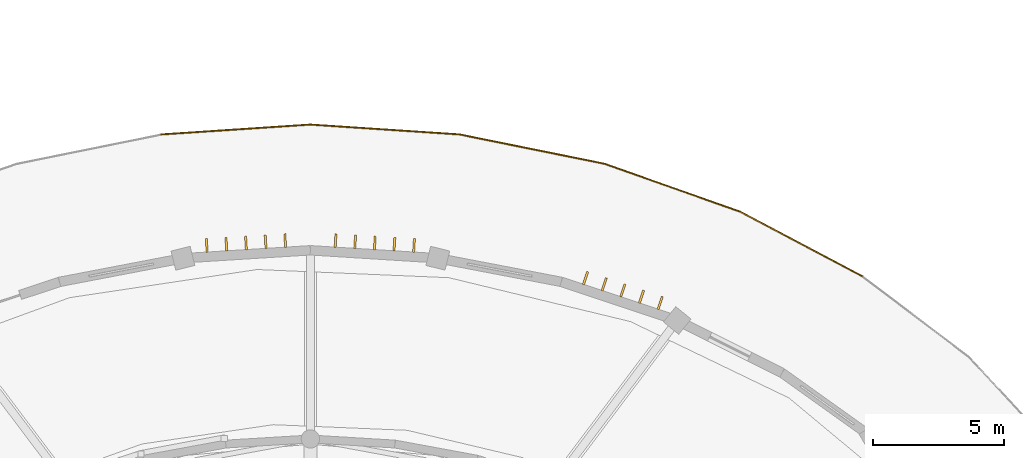
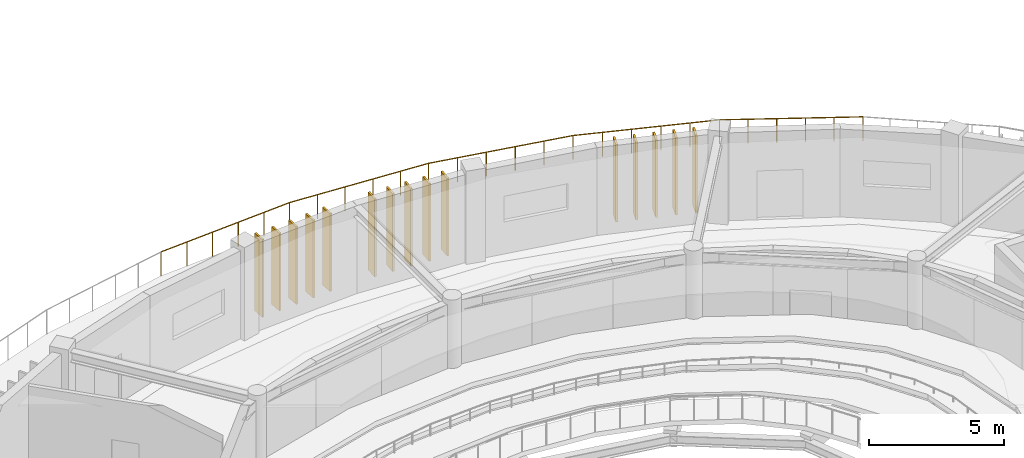
# One storey, part 61 of 63: 15 shading devices, 5 railings.
"""IFC4 building model written with IfcOpenShell, lengths in metres."""

from ifc_helpers import new_model, si_unit, direction, frame, origin, origin_2d, place, context, subcontext, project, spatial, rectangle, circle, extrude, material, layer, layer_set, type_object, element, save


model = new_model("IFC4")

# Units and contexts
model_context = context("Model", 3, precision=1e-05, world=origin(), true_north=direction((0.0, 1.0)))
body_context = subcontext(model_context, "Body", "Model", "MODEL_VIEW")
ifc_project = project(units=[si_unit("LENGTHUNIT", "METRE"), si_unit("AREAUNIT", "SQUARE_METRE"), si_unit("VOLUMEUNIT", "CUBIC_METRE"), si_unit("PLANEANGLEUNIT", "RADIAN"), si_unit("MASSUNIT", "GRAM", prefix="KILO")], contexts=[model_context])

# Site, building, storey
site_placement = place(None, origin())
site = spatial("IfcSite", under=ifc_project, at=site_placement, CompositionType="ELEMENT")
building_placement = place(site_placement, origin())
building = spatial("IfcBuilding", under=site, at=building_placement, Name="Tarnveldt Headland Concert Hall", CompositionType="ELEMENT")
storey_placement = place(building_placement, frame((0.0, 0.0, 14.39990234375)))
storey = spatial("IfcBuildingStorey", under=building, at=storey_placement, Name="L03", CompositionType="ELEMENT", Elevation=14.39990234375)

# Railings
ifc_material_1 = material(Name="Marine stainless steel", Category="steel")
ifc_layer = layer(ifc_material_1, 0.074951171875, Name="Marine stainless steel", Category="steel")
ifc_layer_set = layer_set([ifc_layer], Name="Marine stainless steel")
railing_type = type_object("IfcRailingType", Name="RL-BAL110", PredefinedType="BALUSTRADE", material=ifc_layer_set)
railing_1_placement = place(storey_placement, frame((104.58349609375, 73.497802734375, 0.0)))
element("IfcRailing", 1, at=railing_1_placement, inside=storey, type_object=railing_type, Name="GUARD Drum lookout terrace balustrade 6", PredefinedType="BALUSTRADE", context=body_context, shape_type="SweptSolid", body=[
    extrude(circle(Radius=0.02392578125, at=origin_2d()), frame((0.0, 0.0, 1.076171875), z_axis=(-0.88379239872, 0.467879253617, 0.0), x_axis=(-0.467879253617, -0.88379239872, 0.0)), (0.0, 0.0, 1.0), 5.29931640625),
    extrude(circle(Radius=0.02099609375, at=origin_2d()), origin(), (0.0, 0.0, 1.0), 1.052001953125),
    extrude(circle(Radius=0.02099609375, at=origin_2d()), frame((-0.936767578125, 0.495849609375, 0.0)), (0.0, 0.0, 1.0), 1.052001953125),
    extrude(circle(Radius=0.02099609375, at=origin_2d()), frame((-1.87353515625, 0.99169921875, 0.0)), (0.0, 0.0, 1.0), 1.052001953125),
    extrude(circle(Radius=0.02099609375, at=origin_2d()), frame((-2.81005859375, 1.48779296875, 0.0)), (0.0, 0.0, 1.0), 1.052001953125),
    extrude(circle(Radius=0.02099609375, at=origin_2d()), frame((-3.746826171875, 1.983642578125, 0.0)), (0.0, 0.0, 1.0), 1.052001953125),
    extrude(circle(Radius=0.02099609375, at=origin_2d()), frame((-4.68359375, 2.4794921875, 0.0)), (0.0, 0.0, 1.0), 1.052001953125),
])
railing_2_placement = place(storey_placement, frame((99.89990234375, 75.977294921875, 0.0)))
element("IfcRailing", 2, at=railing_2_placement, inside=storey, type_object=railing_type, Name="GUARD Drum lookout terrace balustrade 7", PredefinedType="BALUSTRADE", context=body_context, shape_type="SweptSolid", body=[
    extrude(circle(Radius=0.02392578125, at=origin_2d()), frame((0.0, 0.0, 1.076171875), z_axis=(-0.943085453999, 0.332550487077, 0.0), x_axis=(-0.332550487077, -0.943085453999, 0.0)), (0.0, 0.0, 1.0), 5.494384765625),
    extrude(circle(Radius=0.02099609375, at=origin_2d()), origin(), (0.0, 0.0, 1.0), 1.052001953125),
    extrude(circle(Radius=0.02099609375, at=origin_2d()), frame((-1.036376953125, 0.365478515625, 0.0)), (0.0, 0.0, 1.0), 1.052001953125),
    extrude(circle(Radius=0.02099609375, at=origin_2d()), frame((-2.07275390625, 0.73095703125, 0.0)), (0.0, 0.0, 1.0), 1.052001953125),
    extrude(circle(Radius=0.02099609375, at=origin_2d()), frame((-3.10888671875, 1.09619140625, 0.0)), (0.0, 0.0, 1.0), 1.052001953125),
    extrude(circle(Radius=0.02099609375, at=origin_2d()), frame((-4.145263671875, 1.461669921875, 0.0)), (0.0, 0.0, 1.0), 1.052001953125),
    extrude(circle(Radius=0.02099609375, at=origin_2d()), frame((-5.181640625, 1.8271484375, 0.0)), (0.0, 0.0, 1.0), 1.052001953125),
])
railing_3_placement = place(storey_placement, frame((94.71826171875, 77.804443359375, 0.0)))
element("IfcRailing", 3, at=railing_3_placement, inside=storey, type_object=railing_type, Name="GUARD Drum lookout terrace balustrade 8", PredefinedType="BALUSTRADE", context=body_context, shape_type="SweptSolid", body=[
    extrude(circle(Radius=0.02392578125, at=origin_2d()), frame((0.0, 0.0, 1.076171875), z_axis=(-0.980094417088, 0.198531946026, 0.0), x_axis=(-0.198531946026, -0.980094417088, 0.0)), (0.0, 0.0, 1.0), 5.634521484375),
    extrude(circle(Radius=0.02099609375, at=origin_2d()), origin(), (0.0, 0.0, 1.0), 1.052001953125),
    extrude(circle(Radius=0.02099609375, at=origin_2d()), frame((-1.1044921875, 0.2236328125, 0.0)), (0.0, 0.0, 1.0), 1.052001953125),
    extrude(circle(Radius=0.02099609375, at=origin_2d()), frame((-2.208984375, 0.447509765625, 0.0)), (0.0, 0.0, 1.0), 1.052001953125),
    extrude(circle(Radius=0.02099609375, at=origin_2d()), frame((-3.3134765625, 0.671142578125, 0.0)), (0.0, 0.0, 1.0), 1.052001953125),
    extrude(circle(Radius=0.02099609375, at=origin_2d()), frame((-4.41796875, 0.89501953125, 0.0)), (0.0, 0.0, 1.0), 1.052001953125),
    extrude(circle(Radius=0.02099609375, at=origin_2d()), frame((-5.5224609375, 1.11865234375, 0.0)), (0.0, 0.0, 1.0), 1.052001953125),
])
railing_4_placement = place(storey_placement, frame((89.19580078125, 78.923095703125, 0.0)))
element("IfcRailing", 4, at=railing_4_placement, inside=storey, type_object=railing_type, Name="GUARD Drum lookout terrace balustrade 9", PredefinedType="BALUSTRADE", context=body_context, shape_type="SweptSolid", body=[
    extrude(circle(Radius=0.02392578125, at=origin_2d()), frame((0.0, 0.0, 1.076171875), z_axis=(-0.997817213059, 0.066036424216, 0.0), x_axis=(-0.066036424216, -0.997817213059, 0.0)), (0.0, 0.0, 1.0), 5.708251953125),
    extrude(circle(Radius=0.02099609375, at=origin_2d()), origin(), (0.0, 0.0, 1.0), 1.052001953125),
    extrude(circle(Radius=0.02099609375, at=origin_2d()), frame((-1.13916015625, 0.075439453125, 0.0)), (0.0, 0.0, 1.0), 1.052001953125),
    extrude(circle(Radius=0.02099609375, at=origin_2d()), frame((-2.2783203125, 0.15087890625, 0.0)), (0.0, 0.0, 1.0), 1.052001953125),
    extrude(circle(Radius=0.02099609375, at=origin_2d()), frame((-3.41748046875, 0.22607421875, 0.0)), (0.0, 0.0, 1.0), 1.052001953125),
    extrude(circle(Radius=0.02099609375, at=origin_2d()), frame((-4.556640625, 0.301513671875, 0.0)), (0.0, 0.0, 1.0), 1.052001953125),
    extrude(circle(Radius=0.02099609375, at=origin_2d()), frame((-5.69580078125, 0.376953125, 0.0)), (0.0, 0.0, 1.0), 1.052001953125),
])
railing_5_placement = place(storey_placement, frame((83.5, 79.300048828125, 0.0)))
element("IfcRailing", 5, at=railing_5_placement, inside=storey, type_object=railing_type, Name="GUARD Drum lookout terrace balustrade 10", PredefinedType="BALUSTRADE", context=body_context, shape_type="SweptSolid", body=[
    extrude(circle(Radius=0.02392578125, at=origin_2d()), frame((0.0, 0.0, 1.076171875), z_axis=(-0.997817213059, -0.066036424216, 0.0), x_axis=(0.066036424216, -0.997817213059, 0.0)), (0.0, 0.0, 1.0), 5.708251953125),
    extrude(circle(Radius=0.02099609375, at=origin_2d()), origin(), (0.0, 0.0, 1.0), 1.052001953125),
    extrude(circle(Radius=0.02099609375, at=origin_2d()), frame((-1.13916015625, -0.075439453125, 0.0)), (0.0, 0.0, 1.0), 1.052001953125),
    extrude(circle(Radius=0.02099609375, at=origin_2d()), frame((-2.2783203125, -0.15087890625, 0.0)), (0.0, 0.0, 1.0), 1.052001953125),
    extrude(circle(Radius=0.02099609375, at=origin_2d()), frame((-3.41748046875, -0.22607421875, 0.0)), (0.0, 0.0, 1.0), 1.052001953125),
    extrude(circle(Radius=0.02099609375, at=origin_2d()), frame((-4.556640625, -0.301513671875, 0.0)), (0.0, 0.0, 1.0), 1.052001953125),
    extrude(circle(Radius=0.02099609375, at=origin_2d()), frame((-5.69580078125, -0.376953125, 0.0)), (0.0, 0.0, 1.0), 1.052001953125),
])

# Shading devices
ifc_material_2 = material(Name="Terracotta-anodised aluminium EN AW-6063-T6", Category="masonry")
shading_device_type = type_object("IfcShadingDeviceType", Name="SD-FIN520", PredefinedType="USERDEFINED", material=ifc_material_2)
for number, where, z_axis, x_axis, name in (
    (6, (96.847412109375, 72.4912109375, 0.25), (0.0, 0.0, 1.0), (0.315980237922, 0.948765771538, 0.0), "Drum terracotta acoustic solar fin L03-14"),
    (7, (96.1357421875, 72.72802734375, 0.25), (0.0, 0.0, 1.0), (0.315980237922, 0.948765771538, 0.0), "Drum terracotta acoustic solar fin L03-15"),
    (8, (95.42431640625, 72.965087890625, 0.25), (0.0, 0.0, 1.0), (0.315980237922, 0.948765771538, 0.0), "Drum terracotta acoustic solar fin L03-16"),
    (9, (94.712646484375, 73.2021484375, 0.25), (0.0, 0.0, 1.0), (0.315980237922, 0.948765771538, 0.0), "Drum terracotta acoustic solar fin L03-17"),
    (10, (94.001220703125, 73.439208984375, 0.25), (0.0, 0.0, 1.0), (0.315980237922, 0.948765771538, 0.0), "Drum terracotta acoustic solar fin L03-18"),
    (11, (87.454833984375, 74.68359375, 0.25), (0.0, 0.0, 1.0), (0.062442138662, 0.998048585651, 0.0), "Drum terracotta acoustic solar fin L03-19"),
    (12, (86.706298828125, 74.73046875, 0.25), (0.0, 0.0, 1.0), (0.062442138662, 0.998048585651, 0.0), "Drum terracotta acoustic solar fin L03-20"),
    (13, (85.9580078125, 74.77734375, 0.25), (0.0, 0.0, 1.0), (0.062442138662, 0.998048585651, 0.0), "Drum terracotta acoustic solar fin L03-21"),
    (14, (85.209228515625, 74.823974609375, 0.25), (0.0, 0.0, 1.0), (0.062442138662, 0.998048585651, 0.0), "Drum terracotta acoustic solar fin L03-22"),
    (15, (84.460693359375, 74.870849609375, 0.25), (0.0, 0.0, 1.0), (0.062442138662, 0.998048585651, 0.0), "Drum terracotta acoustic solar fin L03-23"),
    (16, (82.539306640625, 74.870849609375, 0.25), (0.0, 0.0, 1.0), (-0.062442138662, 0.998048585651, 0.0), "Drum terracotta acoustic solar fin L03-24"),
    (17, (81.790771484375, 74.823974609375, 0.25), (0.0, 0.0, 1.0), (-0.062442138662, 0.998048585651, 0.0), "Drum terracotta acoustic solar fin L03-25"),
    (18, (81.0419921875, 74.77734375, 0.25), (0.0, 0.0, 1.0), (-0.062442138662, 0.998048585651, 0.0), "Drum terracotta acoustic solar fin L03-26"),
    (19, (80.293701171875, 74.73046875, 0.25), (0.0, 0.0, 1.0), (-0.062442138662, 0.998048585651, 0.0), "Drum terracotta acoustic solar fin L03-27"),
    (20, (79.545166015625, 74.68359375, 0.25), (0.0, 0.0, 1.0), (-0.062442138662, 0.998048585651, 0.0), "Drum terracotta acoustic solar fin L03-28"),
):
    element("IfcShadingDevice", number, at=place(storey_placement, frame(where, z_axis=z_axis, x_axis=x_axis)), inside=storey, type_object=shading_device_type, Name=name, ObjectType="FIN", PredefinedType="USERDEFINED", context=body_context, shape_type="SweptSolid", body=[
        extrude(rectangle(XDim=0.52001953125, YDim=0.080078125, at=origin_2d()), origin(), (0.0, 0.0, 1.0), 3.5),
    ])

save(model, "model.ifc")
